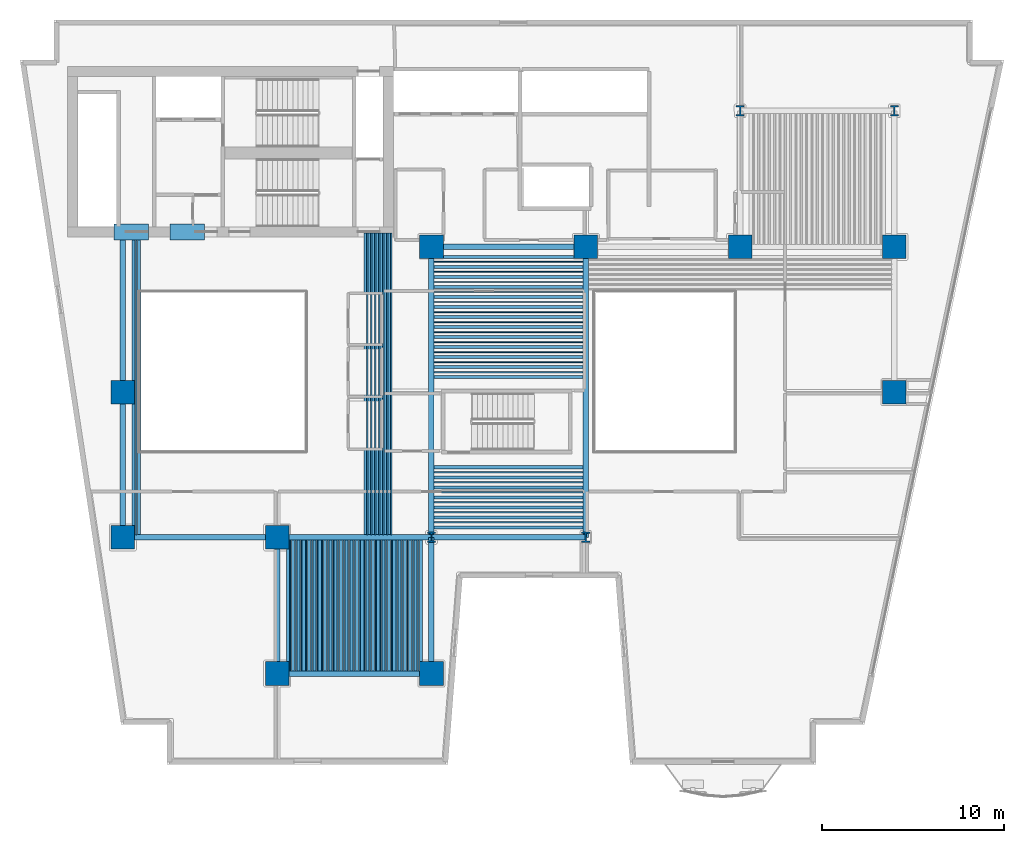
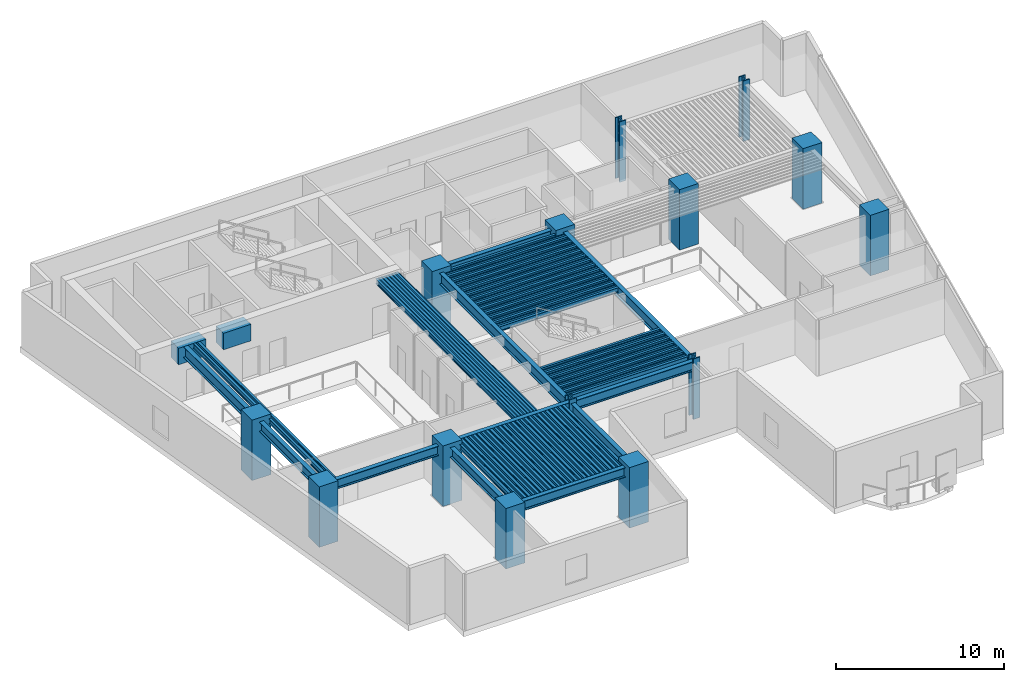
# One storey, part 1 of 12: 119 beams, 14 columns.
"""IFC4 building model written with IfcOpenShell, lengths in metres."""

from ifc_helpers import new_model, si_unit, direction, frame, origin, origin_2d, place, context, subcontext, project, spatial, rectangle, hollow_rectangle, i_section, extrude, material, material_profile, profile_set, type_object, element, save


model = new_model("IFC4")

# Units and contexts
model_context = context("Model", 3, precision=1e-05, world=origin(), true_north=direction((0.0, 1.0)))
body_context = subcontext(model_context, "Body", "Model", "MODEL_VIEW")
ifc_project = project(units=[si_unit("LENGTHUNIT", "METRE"), si_unit("AREAUNIT", "SQUARE_METRE"), si_unit("VOLUMEUNIT", "CUBIC_METRE"), si_unit("PLANEANGLEUNIT", "RADIAN"), si_unit("MASSUNIT", "GRAM", prefix="KILO")], contexts=[model_context])

# Site, building, storey
site_placement = place(None, origin())
site = spatial("IfcSite", under=ifc_project, at=site_placement, CompositionType="ELEMENT")
building_placement = place(site_placement, origin())
building = spatial("IfcBuilding", under=site, at=building_placement, Name="Caeloran Harvest Quay", CompositionType="ELEMENT")
storey_placement = place(building_placement, frame((0.0, 0.0, 27.0)))
storey = spatial("IfcBuildingStorey", under=building, at=storey_placement, Name="L06", CompositionType="ELEMENT", Elevation=27.0)

# Columns
ifc_material_1 = material(Name="Concrete C80/95", Category="concrete")
ifc_material_profile_1 = material_profile(ifc_material_1, rectangle(XDim=1.300048828125, YDim=1.300048828125, at=origin_2d()), Name="RC 1300x1300")
ifc_profile_set_1 = profile_set([ifc_material_profile_1], Name="Concrete C80/95")
column_type_1 = type_object("IfcColumnType", Name="COL-MC-2-RC_1300x1300", PredefinedType="COLUMN", material=ifc_profile_set_1)
for number, where, z_axis, x_axis, name in (
    (1, (8.5, 15.0, 0.0), (0.0, 0.0, 1.0), (1.0, 0.0, 0.0), "L06 Structural Column (8.5, 15.0)"),
    (2, (8.5, 23.0, 0.0), (0.0, 0.0, 1.0), (1.0, 0.0, 0.0), "L06 Structural Column (8.5, 23.0)"),
    (3, (17.0, 7.5, 0.0), (0.0, 0.0, 1.0), (1.0, 0.0, 0.0), "L06 Structural Column (17.0, 7.5)"),
    (4, (17.0, 15.0, 0.0), (0.0, 0.0, 1.0), (1.0, 0.0, 0.0), "L06 Structural Column (17.0, 15.0)"),
    (5, (25.5, 7.5, 0.0), (0.0, 0.0, 1.0), (1.0, 0.0, 0.0), "L06 Structural Column (25.5, 7.5)"),
    (6, (25.5, 31.0, 0.0), (0.0, 0.0, 1.0), (1.0, 0.0, 0.0), "L06 Structural Column (25.5, 31.0)"),
    (7, (34.0, 31.0, 0.0), (0.0, 0.0, 1.0), (1.0, 0.0, 0.0), "L06 Structural Column (34.0, 31.0)"),
    (8, (42.5, 31.0, 0.0), (0.0, 0.0, 1.0), (1.0, 0.0, 0.0), "L06 Structural Column (42.5, 31.0)"),
    (9, (51.0, 23.0, 0.0), (0.0, 0.0, 1.0), (1.0, 0.0, 0.0), "L06 Structural Column (51.0, 23.0)"),
    (10, (51.0, 31.0, 0.0), (0.0, 0.0, 1.0), (1.0, 0.0, 0.0), "L06 Structural Column (51.0, 31.0)"),
):
    element("IfcColumn", number, at=place(storey_placement, frame(where, z_axis=z_axis, x_axis=x_axis)), inside=storey, type_object=column_type_1, Name=name, PredefinedType="COLUMN", context=body_context, shape_type="SweptSolid", body=[
        extrude(rectangle(XDim=1.300048828125, YDim=1.300048828125, at=origin_2d()), origin(), (0.0, 0.0, 1.0), 4.39990234375),
    ])
ifc_material_2 = material(Name="Steel HISTAR 460", Category="steel")
ifc_material_profile_2 = material_profile(ifc_material_2, i_section(OverallWidth=0.4541015625, OverallDepth=0.569091796875, WebThickness=0.077880859375, FlangeThickness=0.080078125, FilletRadius=0.014892578125, at=origin_2d()), Name="HD 400x1086")
ifc_profile_set_2 = profile_set([ifc_material_profile_2], Name="Steel HISTAR 460")
column_type_2 = type_object("IfcColumnType", Name="COL-SC-1-HD_400x1086", PredefinedType="COLUMN", material=ifc_profile_set_2)
for number, where, z_axis, x_axis, name in (
    (11, (25.5, 15.0, 0.0), (0.0, 0.0, 1.0), (1.0, 0.0, 0.0), "L06 Structural Column (25.5, 15.0)"),
    (12, (34.0, 15.0, 0.0), (0.0, 0.0, 1.0), (1.0, 0.0, 0.0), "L06 Structural Column (34.0, 15.0)"),
    (13, (42.5, 38.5, 0.0), (0.0, 0.0, 1.0), (1.0, 0.0, 0.0), "L06 Structural Column (42.5, 38.5)"),
    (14, (51.0, 38.5, 0.0), (0.0, 0.0, 1.0), (1.0, 0.0, 0.0), "L06 Structural Column (51.0, 38.5)"),
):
    element("IfcColumn", number, at=place(storey_placement, frame(where, z_axis=z_axis, x_axis=x_axis)), inside=storey, type_object=column_type_2, Name=name, PredefinedType="COLUMN", context=body_context, shape_type="SweptSolid", body=[
        extrude(i_section(OverallWidth=0.4541015625, OverallDepth=0.569091796875, WebThickness=0.077880859375, FlangeThickness=0.080078125, FilletRadius=0.014892578125, at=origin_2d()), origin(), (0.0, 0.0, 1.0), 4.39990234375),
    ])

# Beams
ifc_material_profile_3 = material_profile(ifc_material_1, rectangle(XDim=0.89990234375, YDim=1.199951171875, at=origin_2d()), Name="RC 900x1200")
ifc_profile_set_3 = profile_set([ifc_material_profile_3], Name="Concrete C80/95")
beam_type_1 = type_object("IfcBeamType", Name="BM-CB-1-RC_900x1200", PredefinedType="LINTEL", material=ifc_profile_set_3)
for number, where, z_axis, x_axis, name in (
    (15, (8.0, 31.824951171875, 3.5), (1.0, 0.0, 0.0), (0.0, 1.0, 0.0), "L06 Core Coupling Beam 1"),
    (16, (11.10009765625, 31.824951171875, 3.5), (1.0, 0.0, 0.0), (0.0, 1.0, 0.0), "L06 Core Coupling Beam 2"),
):
    element("IfcBeam", number, at=place(storey_placement, frame(where, z_axis=z_axis, x_axis=x_axis)), inside=storey, type_object=beam_type_1, Name=name, PredefinedType="LINTEL", context=body_context, shape_type="SweptSolid", body=[
        extrude(rectangle(XDim=0.89990234375, YDim=1.199951171875, at=origin_2d()), origin(), (0.0, 0.0, 1.0), 1.89990234375),
    ])
ifc_material_3 = material(Name="Steel S355J2", Category="steel")
ifc_material_profile_4 = material_profile(ifc_material_3, i_section(OverallWidth=0.300048828125, OverallDepth=0.800048828125, WebThickness=0.017578125, FlangeThickness=0.032958984375, FilletRadius=0.030029296875, at=origin_2d()), Name="HE 800 B")
ifc_profile_set_4 = profile_set([ifc_material_profile_4], Name="Steel S355J2")
beam_type_2 = type_object("IfcBeamType", Name="BM-PG-1-HE_800_B", PredefinedType="BEAM", material=ifc_profile_set_4)
beam_1_placement = place(storey_placement, frame((8.5, 23.0, 3.699951171875), z_axis=(0.0, 1.0, 0.0), x_axis=(-1.0, 0.0, 0.0)))
element("IfcBeam", 17, at=beam_1_placement, inside=storey, type_object=beam_type_2, Name="L06 Core South Tie Girder X=8.5", PredefinedType="BEAM", context=body_context, shape_type="SweptSolid", body=[
    extrude(i_section(OverallWidth=0.300048828125, OverallDepth=0.800048828125, WebThickness=0.017578125, FlangeThickness=0.032958984375, FilletRadius=0.030029296875, at=origin_2d()), origin(), (0.0, 0.0, 1.0), 8.77490234375),
])
for number, where, z_axis, x_axis, name in (
    (18, (25.5, 15.0, 3.699951171875), (0.0, 1.0, 0.0), (-1.0, 0.0, 0.0), "L06 Primary North-South Girder X=25.5"),
    (19, (34.0, 15.0, 3.699951171875), (0.0, 1.0, 0.0), (-1.0, 0.0, 0.0), "L06 Primary North-South Girder X=34.0"),
):
    element("IfcBeam", number, at=place(storey_placement, frame(where, z_axis=z_axis, x_axis=x_axis)), inside=storey, type_object=beam_type_2, Name=name, PredefinedType="BEAM", context=body_context, shape_type="SweptSolid", body=[
        extrude(i_section(OverallWidth=0.300048828125, OverallDepth=0.800048828125, WebThickness=0.017578125, FlangeThickness=0.032958984375, FilletRadius=0.030029296875, at=origin_2d()), origin(), (0.0, 0.0, 1.0), 16.0),
    ])
ifc_material_profile_5 = material_profile(ifc_material_3, i_section(OverallWidth=0.300048828125, OverallDepth=0.699951171875, WebThickness=0.01708984375, FlangeThickness=0.031982421875, FilletRadius=0.027099609375, at=origin_2d()), Name="HE 700 B")
ifc_profile_set_5 = profile_set([ifc_material_profile_5], Name="Steel S355J2")
beam_type_3 = type_object("IfcBeamType", Name="BM-PG-2-HE_700_B", PredefinedType="BEAM", material=ifc_profile_set_5)
for number, where, z_axis, x_axis, name in (
    (20, (17.0, 7.5, 3.75), (1.0, 0.0, 0.0), (0.0, 1.0, 0.0), "L06 Primary East-West Girder Y=7.5"),
    (21, (8.5, 15.0, 3.75), (1.0, 0.0, 0.0), (0.0, 1.0, 0.0), "L06 Primary East-West Girder Y=15.0"),
    (22, (17.0, 15.0, 3.75), (1.0, 0.0, 0.0), (0.0, 1.0, 0.0), "L06 Primary East-West Girder Y=15.0"),
    (23, (25.5, 15.0, 3.75), (1.0, 0.0, 0.0), (0.0, 1.0, 0.0), "L06 Primary East-West Girder Y=15.0"),
    (24, (25.5, 31.0, 3.75), (1.0, 0.0, 0.0), (0.0, 1.0, 0.0), "L06 Primary East-West Girder Y=31.0"),
):
    element("IfcBeam", number, at=place(storey_placement, frame(where, z_axis=z_axis, x_axis=x_axis)), inside=storey, type_object=beam_type_3, Name=name, PredefinedType="BEAM", context=body_context, shape_type="SweptSolid", body=[
        extrude(i_section(OverallWidth=0.300048828125, OverallDepth=0.699951171875, WebThickness=0.01708984375, FlangeThickness=0.031982421875, FilletRadius=0.027099609375, at=origin_2d()), origin(), (0.0, 0.0, 1.0), 8.5),
    ])
beam_2_placement = place(storey_placement, frame((8.5, 15.0, 3.75), z_axis=(0.0, 1.0, 0.0), x_axis=(-1.0, 0.0, 0.0)))
element("IfcBeam", 25, at=beam_2_placement, inside=storey, type_object=beam_type_3, Name="L06 Primary North-South Girder X=8.5", PredefinedType="BEAM", context=body_context, shape_type="SweptSolid", body=[
    extrude(i_section(OverallWidth=0.300048828125, OverallDepth=0.699951171875, WebThickness=0.01708984375, FlangeThickness=0.031982421875, FilletRadius=0.027099609375, at=origin_2d()), origin(), (0.0, 0.0, 1.0), 8.0),
])
for number, where, z_axis, x_axis, name in (
    (26, (17.0, 7.5, 3.75), (0.0, 1.0, 0.0), (-1.0, 0.0, 0.0), "L06 Primary North-South Girder X=17.0"),
    (27, (25.5, 7.5, 3.75), (0.0, 1.0, 0.0), (-1.0, 0.0, 0.0), "L06 Primary North-South Girder X=25.5"),
):
    element("IfcBeam", number, at=place(storey_placement, frame(where, z_axis=z_axis, x_axis=x_axis)), inside=storey, type_object=beam_type_3, Name=name, PredefinedType="BEAM", context=body_context, shape_type="SweptSolid", body=[
        extrude(i_section(OverallWidth=0.300048828125, OverallDepth=0.699951171875, WebThickness=0.01708984375, FlangeThickness=0.031982421875, FilletRadius=0.027099609375, at=origin_2d()), origin(), (0.0, 0.0, 1.0), 7.5),
    ])
ifc_material_profile_6 = material_profile(ifc_material_3, i_section(OverallWidth=0.169921875, OverallDepth=0.360107421875, WebThickness=0.008056640625, FlangeThickness=0.0126953125, FilletRadius=0.01806640625, at=origin_2d()), Name="IPE 360")
ifc_profile_set_6 = profile_set([ifc_material_profile_6], Name="Steel S355J2")
beam_type_4 = type_object("IfcBeamType", Name="BM-SB-5-IPE_360", PredefinedType="JOIST", material=ifc_profile_set_6)
for number, where, z_axis, x_axis, name in (
    (28, (17.586181640625, 7.64501953125, 3.919921875), (0.0, 1.0, 0.0), (-1.0, 0.0, 0.0), "L06 Secondary Composite Joist"),
    (29, (17.87939453125, 7.64501953125, 3.919921875), (0.0, 1.0, 0.0), (-1.0, 0.0, 0.0), "L06 Secondary Composite Joist"),
    (30, (18.17236328125, 7.64501953125, 3.919921875), (0.0, 1.0, 0.0), (-1.0, 0.0, 0.0), "L06 Secondary Composite Joist"),
    (31, (18.465576171875, 7.64501953125, 3.919921875), (0.0, 1.0, 0.0), (-1.0, 0.0, 0.0), "L06 Secondary Composite Joist"),
    (32, (18.758544921875, 7.64501953125, 3.919921875), (0.0, 1.0, 0.0), (-1.0, 0.0, 0.0), "L06 Secondary Composite Joist"),
    (33, (19.0517578125, 7.64501953125, 3.919921875), (0.0, 1.0, 0.0), (-1.0, 0.0, 0.0), "L06 Secondary Composite Joist"),
    (34, (19.3447265625, 7.64501953125, 3.919921875), (0.0, 1.0, 0.0), (-1.0, 0.0, 0.0), "L06 Secondary Composite Joist"),
    (35, (19.637939453125, 7.64501953125, 3.919921875), (0.0, 1.0, 0.0), (-1.0, 0.0, 0.0), "L06 Secondary Composite Joist"),
    (36, (19.930908203125, 7.64501953125, 3.919921875), (0.0, 1.0, 0.0), (-1.0, 0.0, 0.0), "L06 Secondary Composite Joist"),
    (37, (20.22412109375, 7.64501953125, 3.919921875), (0.0, 1.0, 0.0), (-1.0, 0.0, 0.0), "L06 Secondary Composite Joist"),
    (38, (20.51708984375, 7.64501953125, 3.919921875), (0.0, 1.0, 0.0), (-1.0, 0.0, 0.0), "L06 Secondary Composite Joist"),
    (39, (20.810302734375, 7.64501953125, 3.919921875), (0.0, 1.0, 0.0), (-1.0, 0.0, 0.0), "L06 Secondary Composite Joist"),
    (40, (21.103515625, 7.64501953125, 3.919921875), (0.0, 1.0, 0.0), (-1.0, 0.0, 0.0), "L06 Secondary Composite Joist"),
    (41, (21.396484375, 7.64501953125, 3.919921875), (0.0, 1.0, 0.0), (-1.0, 0.0, 0.0), "L06 Secondary Composite Joist"),
    (42, (21.689697265625, 7.64501953125, 3.919921875), (0.0, 1.0, 0.0), (-1.0, 0.0, 0.0), "L06 Secondary Composite Joist"),
    (43, (21.98291015625, 7.64501953125, 3.919921875), (0.0, 1.0, 0.0), (-1.0, 0.0, 0.0), "L06 Secondary Composite Joist"),
    (44, (22.27587890625, 7.64501953125, 3.919921875), (0.0, 1.0, 0.0), (-1.0, 0.0, 0.0), "L06 Secondary Composite Joist"),
    (45, (22.569091796875, 7.64501953125, 3.919921875), (0.0, 1.0, 0.0), (-1.0, 0.0, 0.0), "L06 Secondary Composite Joist"),
    (46, (22.862060546875, 7.64501953125, 3.919921875), (0.0, 1.0, 0.0), (-1.0, 0.0, 0.0), "L06 Secondary Composite Joist"),
    (47, (23.1552734375, 7.64501953125, 3.919921875), (0.0, 1.0, 0.0), (-1.0, 0.0, 0.0), "L06 Secondary Composite Joist"),
    (48, (23.4482421875, 7.64501953125, 3.919921875), (0.0, 1.0, 0.0), (-1.0, 0.0, 0.0), "L06 Secondary Composite Joist"),
    (49, (23.741455078125, 7.64501953125, 3.919921875), (0.0, 1.0, 0.0), (-1.0, 0.0, 0.0), "L06 Secondary Composite Joist"),
    (50, (24.034423828125, 7.64501953125, 3.919921875), (0.0, 1.0, 0.0), (-1.0, 0.0, 0.0), "L06 Secondary Composite Joist"),
    (51, (24.32763671875, 7.64501953125, 3.919921875), (0.0, 1.0, 0.0), (-1.0, 0.0, 0.0), "L06 Secondary Composite Joist"),
    (52, (24.62060546875, 7.64501953125, 3.919921875), (0.0, 1.0, 0.0), (-1.0, 0.0, 0.0), "L06 Secondary Composite Joist"),
    (53, (24.913818359375, 7.64501953125, 3.919921875), (0.0, 1.0, 0.0), (-1.0, 0.0, 0.0), "L06 Secondary Composite Joist"),
):
    element("IfcBeam", number, at=place(storey_placement, frame(where, z_axis=z_axis, x_axis=x_axis)), inside=storey, type_object=beam_type_4, Name=name, PredefinedType="JOIST", context=body_context, shape_type="SweptSolid", body=[
        extrude(i_section(OverallWidth=0.169921875, OverallDepth=0.360107421875, WebThickness=0.008056640625, FlangeThickness=0.0126953125, FilletRadius=0.01806640625, at=origin_2d()), origin(), (0.0, 0.0, 1.0), 7.2099609375),
    ])
for number, where, z_axis, x_axis, name in (
    (54, (9.086181640625, 15.14501953125, 3.919921875), (0.0, 1.0, 0.0), (-1.0, 0.0, 0.0), "L06 Secondary Composite Joist"),
    (55, (9.37939453125, 15.14501953125, 3.919921875), (0.0, 1.0, 0.0), (-1.0, 0.0, 0.0), "L06 Secondary Composite Joist"),
    (56, (21.855224609375, 15.14501953125, 3.919921875), (0.0, 1.0, 0.0), (-1.0, 0.0, 0.0), "L06 Secondary Composite Joist"),
    (57, (22.075927734375, 15.14501953125, 3.919921875), (0.0, 1.0, 0.0), (-1.0, 0.0, 0.0), "L06 Secondary Composite Joist"),
    (58, (22.296630859375, 15.14501953125, 3.919921875), (0.0, 1.0, 0.0), (-1.0, 0.0, 0.0), "L06 Secondary Composite Joist"),
    (59, (22.51708984375, 15.14501953125, 3.919921875), (0.0, 1.0, 0.0), (-1.0, 0.0, 0.0), "L06 Secondary Composite Joist"),
    (60, (22.73779296875, 15.14501953125, 3.919921875), (0.0, 1.0, 0.0), (-1.0, 0.0, 0.0), "L06 Secondary Composite Joist"),
    (61, (22.95849609375, 15.14501953125, 3.919921875), (0.0, 1.0, 0.0), (-1.0, 0.0, 0.0), "L06 Secondary Composite Joist"),
    (62, (23.17919921875, 15.14501953125, 3.919921875), (0.0, 1.0, 0.0), (-1.0, 0.0, 0.0), "L06 Secondary Composite Joist"),
):
    element("IfcBeam", number, at=place(storey_placement, frame(where, z_axis=z_axis, x_axis=x_axis)), inside=storey, type_object=beam_type_4, Name=name, PredefinedType="JOIST", context=body_context, shape_type="SweptSolid", body=[
        extrude(i_section(OverallWidth=0.169921875, OverallDepth=0.360107421875, WebThickness=0.008056640625, FlangeThickness=0.0126953125, FilletRadius=0.01806640625, at=origin_2d()), origin(), (0.0, 0.0, 1.0), 16.6298828125),
    ])
for number, where, z_axis, x_axis, name in (
    (63, (25.64501953125, 15.5517578125, 3.919921875), (1.0, 0.0, 0.0), (0.0, 1.0, 0.0), "L06 Secondary East-West Composite Joist"),
    (64, (25.64501953125, 16.103515625, 3.919921875), (1.0, 0.0, 0.0), (0.0, 1.0, 0.0), "L06 Secondary East-West Composite Joist"),
    (65, (25.64501953125, 16.6552734375, 3.919921875), (1.0, 0.0, 0.0), (0.0, 1.0, 0.0), "L06 Secondary East-West Composite Joist"),
    (66, (25.64501953125, 17.206787109375, 3.919921875), (1.0, 0.0, 0.0), (0.0, 1.0, 0.0), "L06 Secondary East-West Composite Joist"),
    (67, (25.64501953125, 17.758544921875, 3.919921875), (1.0, 0.0, 0.0), (0.0, 1.0, 0.0), "L06 Secondary East-West Composite Joist"),
    (68, (25.64501953125, 18.310302734375, 3.919921875), (1.0, 0.0, 0.0), (0.0, 1.0, 0.0), "L06 Secondary East-West Composite Joist"),
    (69, (25.64501953125, 18.862060546875, 3.919921875), (1.0, 0.0, 0.0), (0.0, 1.0, 0.0), "L06 Secondary East-West Composite Joist"),
    (70, (25.64501953125, 23.82763671875, 3.919921875), (1.0, 0.0, 0.0), (0.0, 1.0, 0.0), "L06 Secondary East-West Composite Joist"),
    (71, (25.64501953125, 24.37939453125, 3.919921875), (1.0, 0.0, 0.0), (0.0, 1.0, 0.0), "L06 Secondary East-West Composite Joist"),
    (72, (25.64501953125, 24.930908203125, 3.919921875), (1.0, 0.0, 0.0), (0.0, 1.0, 0.0), "L06 Secondary East-West Composite Joist"),
    (73, (25.64501953125, 25.48291015625, 3.919921875), (1.0, 0.0, 0.0), (0.0, 1.0, 0.0), "L06 Secondary East-West Composite Joist"),
    (74, (25.64501953125, 26.034423828125, 3.919921875), (1.0, 0.0, 0.0), (0.0, 1.0, 0.0), "L06 Secondary East-West Composite Joist"),
    (75, (25.64501953125, 26.586181640625, 3.919921875), (1.0, 0.0, 0.0), (0.0, 1.0, 0.0), "L06 Secondary East-West Composite Joist"),
    (76, (25.64501953125, 27.137939453125, 3.919921875), (1.0, 0.0, 0.0), (0.0, 1.0, 0.0), "L06 Secondary East-West Composite Joist"),
    (77, (25.64501953125, 27.689697265625, 3.919921875), (1.0, 0.0, 0.0), (0.0, 1.0, 0.0), "L06 Secondary East-West Composite Joist"),
    (78, (25.64501953125, 28.241455078125, 3.919921875), (1.0, 0.0, 0.0), (0.0, 1.0, 0.0), "L06 Secondary East-West Composite Joist"),
    (79, (25.64501953125, 28.793212890625, 3.919921875), (1.0, 0.0, 0.0), (0.0, 1.0, 0.0), "L06 Secondary East-West Composite Joist"),
    (80, (25.64501953125, 29.3447265625, 3.919921875), (1.0, 0.0, 0.0), (0.0, 1.0, 0.0), "L06 Secondary East-West Composite Joist"),
    (81, (25.64501953125, 29.896484375, 3.919921875), (1.0, 0.0, 0.0), (0.0, 1.0, 0.0), "L06 Secondary East-West Composite Joist"),
    (82, (25.64501953125, 30.4482421875, 3.919921875), (1.0, 0.0, 0.0), (0.0, 1.0, 0.0), "L06 Secondary East-West Composite Joist"),
):
    element("IfcBeam", number, at=place(storey_placement, frame(where, z_axis=z_axis, x_axis=x_axis)), inside=storey, type_object=beam_type_4, Name=name, PredefinedType="JOIST", context=body_context, shape_type="SweptSolid", body=[
        extrude(i_section(OverallWidth=0.169921875, OverallDepth=0.360107421875, WebThickness=0.008056640625, FlangeThickness=0.0126953125, FilletRadius=0.01806640625, at=origin_2d()), origin(), (0.0, 0.0, 1.0), 8.2099609375),
    ])
ifc_material_profile_7 = material_profile(ifc_material_3, hollow_rectangle(XDim=0.080078125, YDim=0.199951171875, WallThickness=0.006103515625, InnerFilletRadius=0.006103515625, OuterFilletRadius=0.009033203125, at=origin_2d()), Name="RHS 200x80x6")
ifc_profile_set_7 = profile_set([ifc_material_profile_7], Name="Steel S355J2")
beam_type_5 = type_object("IfcBeamType", Name="BM-SB-7-RHS_200x80x6", PredefinedType="JOIST", material=ifc_profile_set_7)
for number, where, z_axis, x_axis, name in (
    (83, (17.73291015625, 7.64501953125, 4.0), (0.0, 1.0, 0.0), (-1.0, 0.0, 0.0), "L06 Secondary Composite Joist"),
    (84, (18.02587890625, 7.64501953125, 4.0), (0.0, 1.0, 0.0), (-1.0, 0.0, 0.0), "L06 Secondary Composite Joist"),
    (85, (18.319091796875, 7.64501953125, 4.0), (0.0, 1.0, 0.0), (-1.0, 0.0, 0.0), "L06 Secondary Composite Joist"),
    (86, (18.612060546875, 7.64501953125, 4.0), (0.0, 1.0, 0.0), (-1.0, 0.0, 0.0), "L06 Secondary Composite Joist"),
    (87, (18.9052734375, 7.64501953125, 4.0), (0.0, 1.0, 0.0), (-1.0, 0.0, 0.0), "L06 Secondary Composite Joist"),
    (88, (19.1982421875, 7.64501953125, 4.0), (0.0, 1.0, 0.0), (-1.0, 0.0, 0.0), "L06 Secondary Composite Joist"),
    (89, (19.491455078125, 7.64501953125, 4.0), (0.0, 1.0, 0.0), (-1.0, 0.0, 0.0), "L06 Secondary Composite Joist"),
    (90, (19.784423828125, 7.64501953125, 4.0), (0.0, 1.0, 0.0), (-1.0, 0.0, 0.0), "L06 Secondary Composite Joist"),
    (91, (20.07763671875, 7.64501953125, 4.0), (0.0, 1.0, 0.0), (-1.0, 0.0, 0.0), "L06 Secondary Composite Joist"),
    (92, (20.37060546875, 7.64501953125, 4.0), (0.0, 1.0, 0.0), (-1.0, 0.0, 0.0), "L06 Secondary Composite Joist"),
    (93, (20.663818359375, 7.64501953125, 4.0), (0.0, 1.0, 0.0), (-1.0, 0.0, 0.0), "L06 Secondary Composite Joist"),
    (94, (20.956787109375, 7.64501953125, 4.0), (0.0, 1.0, 0.0), (-1.0, 0.0, 0.0), "L06 Secondary Composite Joist"),
    (95, (21.25, 7.64501953125, 4.0), (0.0, 1.0, 0.0), (-1.0, 0.0, 0.0), "L06 Secondary Composite Joist"),
    (96, (21.543212890625, 7.64501953125, 4.0), (0.0, 1.0, 0.0), (-1.0, 0.0, 0.0), "L06 Secondary Composite Joist"),
    (97, (21.836181640625, 7.64501953125, 4.0), (0.0, 1.0, 0.0), (-1.0, 0.0, 0.0), "L06 Secondary Composite Joist"),
    (98, (22.12939453125, 7.64501953125, 4.0), (0.0, 1.0, 0.0), (-1.0, 0.0, 0.0), "L06 Secondary Composite Joist"),
    (99, (22.42236328125, 7.64501953125, 4.0), (0.0, 1.0, 0.0), (-1.0, 0.0, 0.0), "L06 Secondary Composite Joist"),
    (100, (22.715576171875, 7.64501953125, 4.0), (0.0, 1.0, 0.0), (-1.0, 0.0, 0.0), "L06 Secondary Composite Joist"),
    (101, (23.008544921875, 7.64501953125, 4.0), (0.0, 1.0, 0.0), (-1.0, 0.0, 0.0), "L06 Secondary Composite Joist"),
    (102, (23.3017578125, 7.64501953125, 4.0), (0.0, 1.0, 0.0), (-1.0, 0.0, 0.0), "L06 Secondary Composite Joist"),
    (103, (23.5947265625, 7.64501953125, 4.0), (0.0, 1.0, 0.0), (-1.0, 0.0, 0.0), "L06 Secondary Composite Joist"),
    (104, (23.887939453125, 7.64501953125, 4.0), (0.0, 1.0, 0.0), (-1.0, 0.0, 0.0), "L06 Secondary Composite Joist"),
    (105, (24.180908203125, 7.64501953125, 4.0), (0.0, 1.0, 0.0), (-1.0, 0.0, 0.0), "L06 Secondary Composite Joist"),
    (106, (24.47412109375, 7.64501953125, 4.0), (0.0, 1.0, 0.0), (-1.0, 0.0, 0.0), "L06 Secondary Composite Joist"),
    (107, (24.76708984375, 7.64501953125, 4.0), (0.0, 1.0, 0.0), (-1.0, 0.0, 0.0), "L06 Secondary Composite Joist"),
):
    element("IfcBeam", number, at=place(storey_placement, frame(where, z_axis=z_axis, x_axis=x_axis)), inside=storey, type_object=beam_type_5, Name=name, PredefinedType="JOIST", context=body_context, shape_type="SweptSolid", body=[
        extrude(hollow_rectangle(XDim=0.080078125, YDim=0.199951171875, WallThickness=0.006103515625, InnerFilletRadius=0.006103515625, OuterFilletRadius=0.009033203125, at=origin_2d()), origin(), (0.0, 0.0, 1.0), 7.2099609375),
    ])
for number, where, z_axis, x_axis, name in (
    (108, (9.23291015625, 15.14501953125, 4.0), (0.0, 1.0, 0.0), (-1.0, 0.0, 0.0), "L06 Secondary Composite Joist"),
    (109, (21.965576171875, 15.14501953125, 4.0), (0.0, 1.0, 0.0), (-1.0, 0.0, 0.0), "L06 Secondary Composite Joist"),
    (110, (22.186279296875, 15.14501953125, 4.0), (0.0, 1.0, 0.0), (-1.0, 0.0, 0.0), "L06 Secondary Composite Joist"),
    (111, (22.406982421875, 15.14501953125, 4.0), (0.0, 1.0, 0.0), (-1.0, 0.0, 0.0), "L06 Secondary Composite Joist"),
    (112, (22.627685546875, 15.14501953125, 4.0), (0.0, 1.0, 0.0), (-1.0, 0.0, 0.0), "L06 Secondary Composite Joist"),
    (113, (22.848388671875, 15.14501953125, 4.0), (0.0, 1.0, 0.0), (-1.0, 0.0, 0.0), "L06 Secondary Composite Joist"),
    (114, (23.069091796875, 15.14501953125, 4.0), (0.0, 1.0, 0.0), (-1.0, 0.0, 0.0), "L06 Secondary Composite Joist"),
    (115, (23.289794921875, 15.14501953125, 4.0), (0.0, 1.0, 0.0), (-1.0, 0.0, 0.0), "L06 Secondary Composite Joist"),
):
    element("IfcBeam", number, at=place(storey_placement, frame(where, z_axis=z_axis, x_axis=x_axis)), inside=storey, type_object=beam_type_5, Name=name, PredefinedType="JOIST", context=body_context, shape_type="SweptSolid", body=[
        extrude(hollow_rectangle(XDim=0.080078125, YDim=0.199951171875, WallThickness=0.006103515625, InnerFilletRadius=0.006103515625, OuterFilletRadius=0.009033203125, at=origin_2d()), origin(), (0.0, 0.0, 1.0), 16.6298828125),
    ])
for number, where, z_axis, x_axis, name in (
    (116, (25.64501953125, 15.82763671875, 4.0), (1.0, 0.0, 0.0), (0.0, 1.0, 0.0), "L06 Secondary East-West Composite Joist"),
    (117, (25.64501953125, 16.37939453125, 4.0), (1.0, 0.0, 0.0), (0.0, 1.0, 0.0), "L06 Secondary East-West Composite Joist"),
    (118, (25.64501953125, 16.930908203125, 4.0), (1.0, 0.0, 0.0), (0.0, 1.0, 0.0), "L06 Secondary East-West Composite Joist"),
    (119, (25.64501953125, 17.48291015625, 4.0), (1.0, 0.0, 0.0), (0.0, 1.0, 0.0), "L06 Secondary East-West Composite Joist"),
    (120, (25.64501953125, 18.034423828125, 4.0), (1.0, 0.0, 0.0), (0.0, 1.0, 0.0), "L06 Secondary East-West Composite Joist"),
    (121, (25.64501953125, 18.586181640625, 4.0), (1.0, 0.0, 0.0), (0.0, 1.0, 0.0), "L06 Secondary East-West Composite Joist"),
    (122, (25.64501953125, 24.103515625, 4.0), (1.0, 0.0, 0.0), (0.0, 1.0, 0.0), "L06 Secondary East-West Composite Joist"),
    (123, (25.64501953125, 24.6552734375, 4.0), (1.0, 0.0, 0.0), (0.0, 1.0, 0.0), "L06 Secondary East-West Composite Joist"),
    (124, (25.64501953125, 25.206787109375, 4.0), (1.0, 0.0, 0.0), (0.0, 1.0, 0.0), "L06 Secondary East-West Composite Joist"),
    (125, (25.64501953125, 25.758544921875, 4.0), (1.0, 0.0, 0.0), (0.0, 1.0, 0.0), "L06 Secondary East-West Composite Joist"),
    (126, (25.64501953125, 26.310302734375, 4.0), (1.0, 0.0, 0.0), (0.0, 1.0, 0.0), "L06 Secondary East-West Composite Joist"),
    (127, (25.64501953125, 26.862060546875, 4.0), (1.0, 0.0, 0.0), (0.0, 1.0, 0.0), "L06 Secondary East-West Composite Joist"),
    (128, (25.64501953125, 27.413818359375, 4.0), (1.0, 0.0, 0.0), (0.0, 1.0, 0.0), "L06 Secondary East-West Composite Joist"),
    (129, (25.64501953125, 27.965576171875, 4.0), (1.0, 0.0, 0.0), (0.0, 1.0, 0.0), "L06 Secondary East-West Composite Joist"),
    (130, (25.64501953125, 28.51708984375, 4.0), (1.0, 0.0, 0.0), (0.0, 1.0, 0.0), "L06 Secondary East-West Composite Joist"),
    (131, (25.64501953125, 29.069091796875, 4.0), (1.0, 0.0, 0.0), (0.0, 1.0, 0.0), "L06 Secondary East-West Composite Joist"),
    (132, (25.64501953125, 29.62060546875, 4.0), (1.0, 0.0, 0.0), (0.0, 1.0, 0.0), "L06 Secondary East-West Composite Joist"),
    (133, (25.64501953125, 30.17236328125, 4.0), (1.0, 0.0, 0.0), (0.0, 1.0, 0.0), "L06 Secondary East-West Composite Joist"),
):
    element("IfcBeam", number, at=place(storey_placement, frame(where, z_axis=z_axis, x_axis=x_axis)), inside=storey, type_object=beam_type_5, Name=name, PredefinedType="JOIST", context=body_context, shape_type="SweptSolid", body=[
        extrude(hollow_rectangle(XDim=0.080078125, YDim=0.199951171875, WallThickness=0.006103515625, InnerFilletRadius=0.006103515625, OuterFilletRadius=0.009033203125, at=origin_2d()), origin(), (0.0, 0.0, 1.0), 8.2099609375),
    ])

save(model, "model.ifc")
